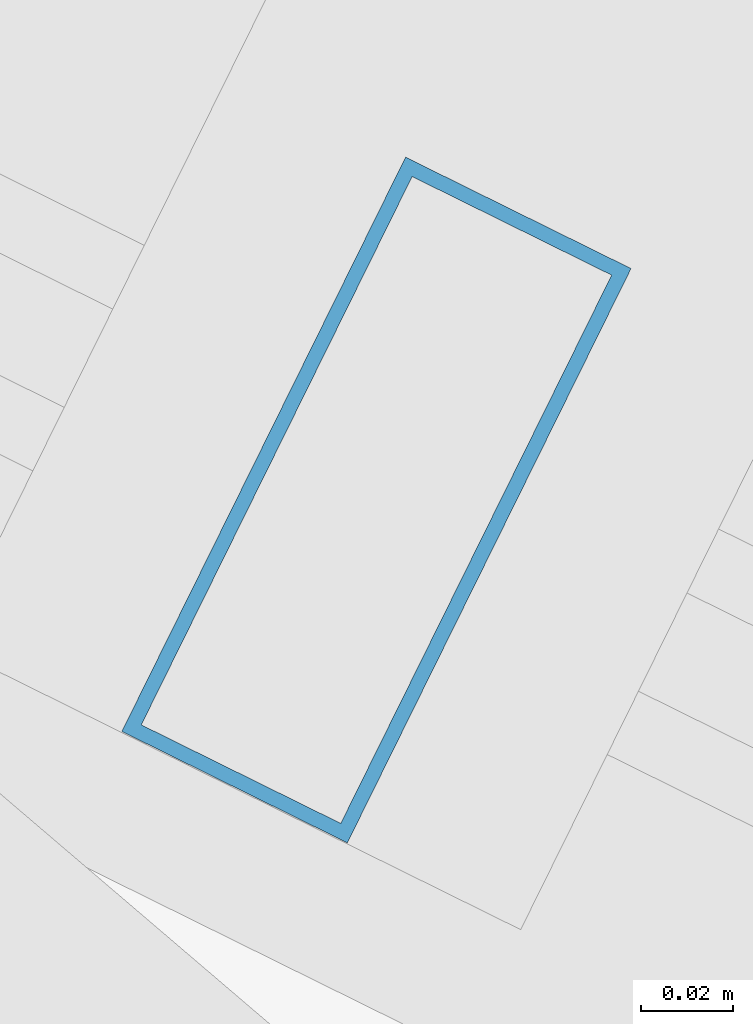
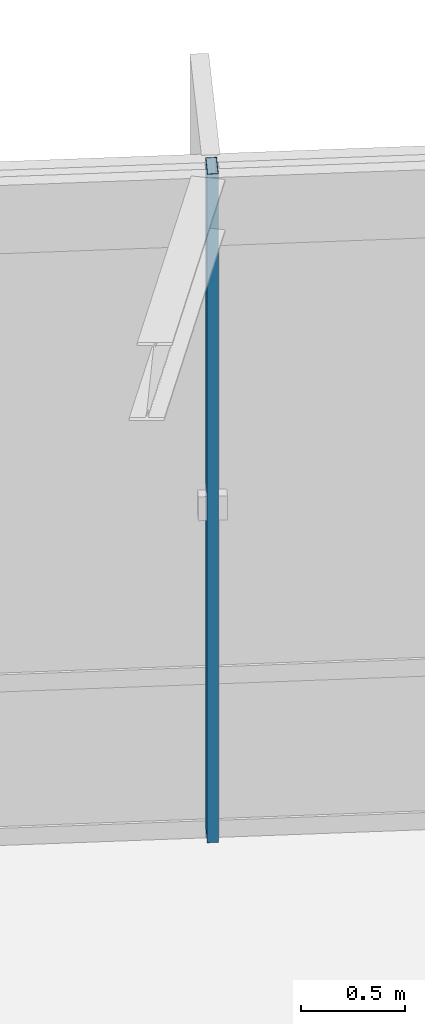
# One storey, part 84 of 152: 1 member, 1 element without a shape of its own.
"""IFC4 building model written with IfcOpenShell, lengths in metres."""

from ifc_helpers import new_model, si_unit, direction, frame, origin, origin_2d, place, context, subcontext, project, spatial, hollow_rectangle, extrude, material, material_profile, profile_set, type_object, element, aggregate, save


model = new_model("IFC4")

# Units and contexts
model_context = context("Model", 3, precision=1e-05, world=origin(), true_north=direction((0.0, 1.0)))
body_context = subcontext(model_context, "Body", "Model", "MODEL_VIEW")
ifc_project = project(units=[si_unit("LENGTHUNIT", "METRE"), si_unit("AREAUNIT", "SQUARE_METRE"), si_unit("VOLUMEUNIT", "CUBIC_METRE"), si_unit("PLANEANGLEUNIT", "RADIAN"), si_unit("MASSUNIT", "GRAM", prefix="KILO"), si_unit("THERMODYNAMICTEMPERATUREUNIT", "KELVIN"), si_unit("POWERUNIT", "WATT")], contexts=[model_context])

# Site, building, storey
site_placement = place(None, origin())
site = spatial("IfcSite", under=ifc_project, at=site_placement, CompositionType="ELEMENT")
building_placement = place(site_placement, origin())
building = spatial("IfcBuilding", under=site, at=building_placement, Name="Darbajah Civic Hall", CompositionType="ELEMENT")
storey_placement = place(building_placement, frame((0.0, 0.0, 5.39990234375)))
storey = spatial("IfcBuildingStorey", under=building, at=storey_placement, Name="L01", CompositionType="ELEMENT", Elevation=5.39990234375)

# Curtain wall, member
ifc_material_1 = material(Name="Anodised Bronze Aluminium and Low-E Glazing", Category="aluminium")
curtain_wall_type = type_object("IfcCurtainWallType", Name="Unitised Curtain Wall CW-20 12800x3900", PredefinedType="USERDEFINED", material=ifc_material_1)
curtain_wall_placement = place(storey_placement, origin())
curtain_wall = element("IfcCurtainWall", 1, at=curtain_wall_placement, inside=storey, type_object=curtain_wall_type, Name="L01 unitised curtain wall CW-V1O-L01-02", ObjectType="UNITISED CURTAIN WALL", PredefinedType="USERDEFINED")
ifc_material_2 = material(Name="Anodised Bronze Aluminium", Category="aluminium")
ifc_material_profile = material_profile(ifc_material_2, hollow_rectangle(XDim=0.054931640625, YDim=0.139892578125, WallThickness=0.003173828125, at=origin_2d()), Name="ALU MULLION 55x140")
ifc_profile_set = profile_set([ifc_material_profile], Name="Anodised Bronze Aluminium")
member_type = type_object("IfcMemberType", Name="ALU MULLION 55x140", PredefinedType="MULLION", material=ifc_profile_set)
member_placement = place(storey_placement, frame((121.814208984375, 111.955810546875, 0.0), z_axis=(0.0, 0.0, 1.0), x_axis=(-0.89656374724, 0.442914717678, 0.0)))
member = element("IfcMember", 2, at=member_placement, type_object=member_type, Name="CW-V1O-L01-02 mullion 3", PredefinedType="MULLION", context=body_context, shape_type="SweptSolid", body=[
    extrude(hollow_rectangle(XDim=0.054931640625, YDim=0.139892578125, WallThickness=0.003173828125, at=origin_2d()), origin(), (0.0, 0.0, 1.0), 3.920166015625),
])
aggregate(curtain_wall, [member])

save(model, "model.ifc")
